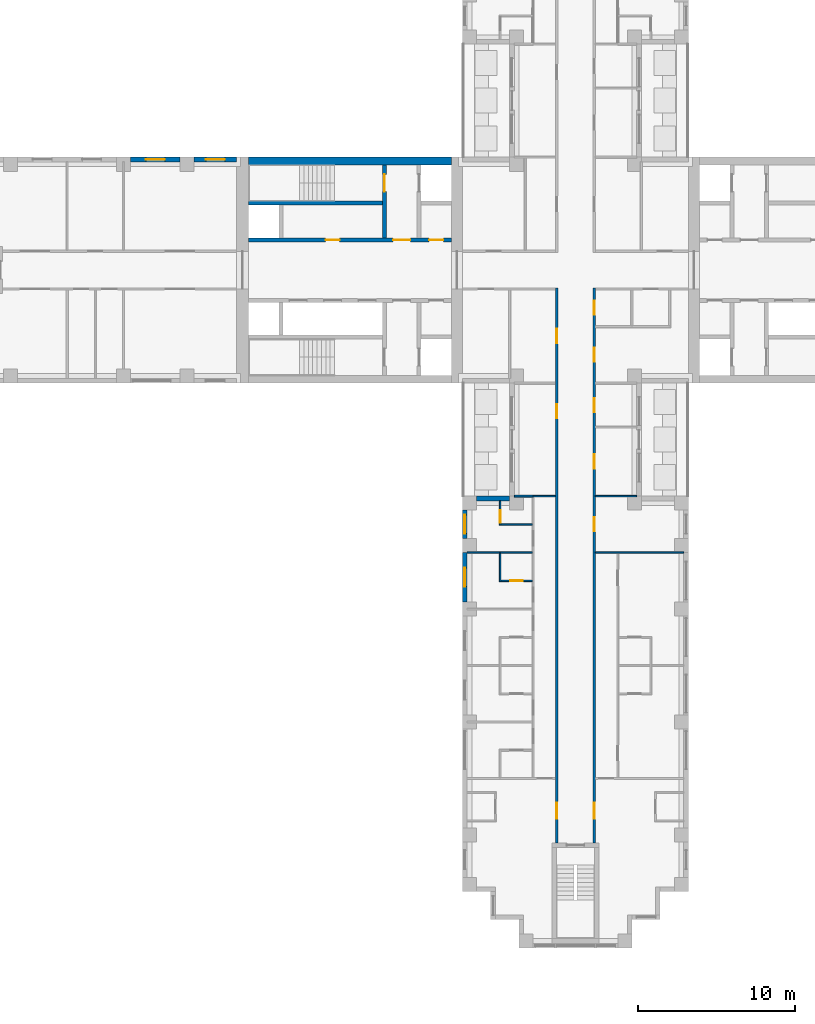
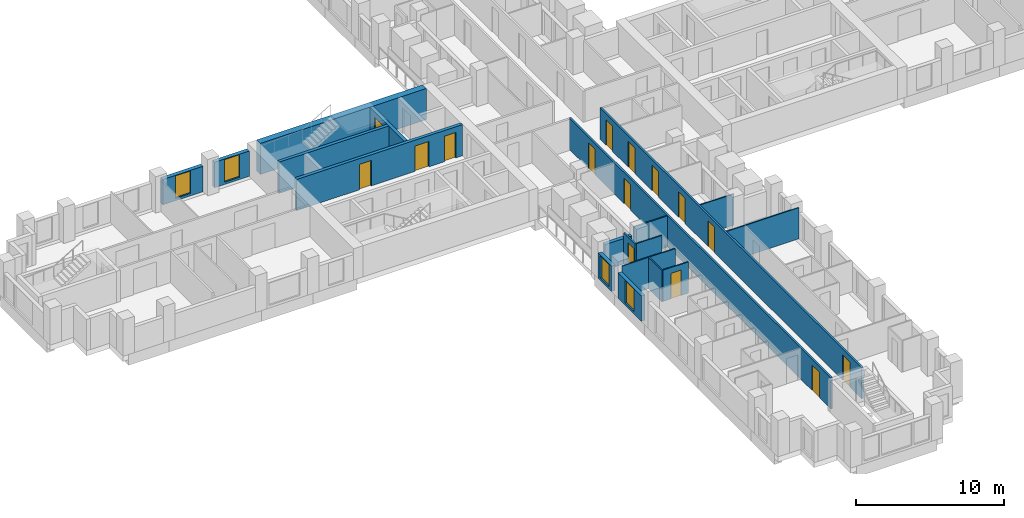
# One storey, part 6 of 15: 20 walls, 15 doors, 4 windows, 19 openings.
"""IFC4 building model written with IfcOpenShell, lengths in metres."""

from ifc_helpers import new_model, si_unit, direction, frame, frame_2d, origin, place, context, subcontext, project, spatial, rectangle, extrude, material, layer, layer_set, type_object, element, fill, save


model = new_model("IFC4")

# Units and contexts
model_context = context("Model", 3, precision=1e-05, world=origin(), true_north=direction((0.0, 1.0)))
body_context = subcontext(model_context, "Body", "Model", "MODEL_VIEW")
ifc_project = project(units=[si_unit("LENGTHUNIT", "METRE"), si_unit("AREAUNIT", "SQUARE_METRE"), si_unit("VOLUMEUNIT", "CUBIC_METRE"), si_unit("PLANEANGLEUNIT", "RADIAN"), si_unit("MASSUNIT", "GRAM", prefix="KILO")], contexts=[model_context])

# Site, building, storey
site_placement = place(None, origin())
site = spatial("IfcSite", under=ifc_project, at=site_placement, CompositionType="ELEMENT")
building_placement = place(site_placement, origin())
building = spatial("IfcBuilding", under=site, at=building_placement, Name="Fustian Cross Tower", CompositionType="ELEMENT")
storey_placement = place(building_placement, frame((0.0, 0.0, 11.699951171875)))
storey = spatial("IfcBuildingStorey", under=building, at=storey_placement, Name="L02", CompositionType="ELEMENT", Elevation=11.699951171875)

# Wall, openings, doors
ifc_material_1 = material(Name="Plasterboard on steel stud", Category="steel")
ifc_layer_1 = layer(ifc_material_1, 0.14990234375)
ifc_layer_set_1 = layer_set([ifc_layer_1], Name="Plasterboard on steel stud")
wall_type_1 = type_object("IfcWallType", Name="COMPARTMENT WALL 150 EI 60", PredefinedType="PARTITIONING", material=ifc_layer_set_1)
wall_1_placement = place(storey_placement, frame((-1.199951171875, -36.5, 0.0), z_axis=(0.0, 0.0, 1.0), x_axis=(0.0, 1.0, 0.0)))
wall_1 = element("IfcWall", 1, at=wall_1_placement, inside=storey, type_object=wall_type_1, Name="Partition 54", PredefinedType="PARTITIONING", context=body_context, shape_type="SweptSolid", body=[
    extrude(rectangle(XDim=35.375, YDim=0.14990234375, at=frame_2d((17.6875, 0.0))), origin(), (0.0, 0.0, 1.0), 2.574951171875),
])
opening_1_placement = place(wall_1_placement, frame((31.85009765625, 0.0, 0.0)))
opening_1 = element("IfcOpeningElement", 2, at=opening_1_placement, cuts=wall_1, Name="Opening D04008", PredefinedType="OPENING", context=body_context, shape_type="SweptSolid", body=[
    extrude(rectangle(XDim=0.89990234375, YDim=2.10009765625, at=frame_2d((0.449951171875, 1.050048828125))), frame((0.0, 0.0849609375, 0.0), z_axis=(0.0, -1.0, 0.0), x_axis=(1.0, 0.0, 0.0)), (0.0, 0.0, 1.0), 0.169921875),
])
opening_2_placement = place(wall_1_placement, frame((27.050048828125, 0.0, 0.0)))
opening_2 = element("IfcOpeningElement", 3, at=opening_2_placement, cuts=wall_1, Name="Opening D04065", PredefinedType="OPENING", context=body_context, shape_type="SweptSolid", body=[
    extrude(rectangle(XDim=0.89990234375, YDim=2.10009765625, at=frame_2d((0.449951171875, 1.050048828125))), frame((0.0, 0.0849609375, 0.0), z_axis=(0.0, -1.0, 0.0), x_axis=(1.0, 0.0, 0.0)), (0.0, 0.0, 1.0), 0.169921875),
])
opening_3_placement = place(wall_1_placement, frame((1.550048828125, 0.0, 0.0)))
opening_3 = element("IfcOpeningElement", 4, at=opening_3_placement, cuts=wall_1, Name="Opening D04067", PredefinedType="OPENING", context=body_context, shape_type="SweptSolid", body=[
    extrude(rectangle(XDim=1.0, YDim=2.10009765625, at=frame_2d((0.5, 1.050048828125))), frame((0.0, 0.0849609375, 0.0), z_axis=(0.0, -1.0, 0.0), x_axis=(1.0, 0.0, 0.0)), (0.0, 0.0, 1.0), 0.169921875),
])
ifc_material_2 = material(Name="Timber fire door set", Category="wood")
door_type_1 = type_object("IfcDoorType", Name="FIRE SWING DOOR 1000 FD30S", OperationType="SINGLE_SWING_LEFT", PredefinedType="DOOR", material=ifc_material_2)
door_1_placement = place(opening_3_placement, origin())
door_1 = element("IfcDoor", 5, at=door_1_placement, inside=storey, type_object=door_type_1, Name="Door D04067", OperationType="SINGLE_SWING_RIGHT", OverallHeight=2.10009765625, OverallWidth=1.0, PredefinedType="DOOR", context=body_context, shape_type="SweptSolid", body=[
    extrude(rectangle(XDim=1.0, YDim=2.10009765625, at=frame_2d((0.5, 1.050048828125))), frame((0.0, 0.02490234375, 0.0), z_axis=(0.0, -1.0, 0.0), x_axis=(1.0, 0.0, 0.0)), (0.0, 0.0, 1.0), 0.050048828125),
])
fill(opening_3, door_1)
ifc_material_3 = material(Name="Timber fire door set", Category="wood")
door_type_2 = type_object("IfcDoorType", Name="FIRE SWING DOOR 900 FD30S", OperationType="SINGLE_SWING_LEFT", PredefinedType="DOOR", material=ifc_material_3)
door_2_placement = place(opening_1_placement, origin())
door_2 = element("IfcDoor", 6, at=door_2_placement, inside=storey, type_object=door_type_2, Name="Door D04008", OperationType="SINGLE_SWING_LEFT", OverallHeight=2.10009765625, OverallWidth=0.89990234375, PredefinedType="DOOR", context=body_context, shape_type="SweptSolid", body=[
    extrude(rectangle(XDim=0.89990234375, YDim=2.10009765625, at=frame_2d((0.449951171875, 1.050048828125))), frame((0.0, 0.02490234375, 0.0), z_axis=(0.0, -1.0, 0.0), x_axis=(1.0, 0.0, 0.0)), (0.0, 0.0, 1.0), 0.050048828125),
])
fill(opening_1, door_2)
door_3_placement = place(opening_2_placement, origin())
door_3 = element("IfcDoor", 7, at=door_3_placement, inside=storey, type_object=door_type_2, Name="Door D04065", OperationType="SINGLE_SWING_RIGHT", OverallHeight=2.10009765625, OverallWidth=0.89990234375, PredefinedType="DOOR", context=body_context, shape_type="SweptSolid", body=[
    extrude(rectangle(XDim=0.89990234375, YDim=2.10009765625, at=frame_2d((0.449951171875, 1.050048828125))), frame((0.0, 0.02490234375, 0.0), z_axis=(0.0, -1.0, 0.0), x_axis=(1.0, 0.0, 0.0)), (0.0, 0.0, 1.0), 0.050048828125),
])
fill(opening_2, door_3)

wall_2_placement = place(storey_placement, frame((1.199951171875, -36.5, 0.0), z_axis=(0.0, 0.0, 1.0), x_axis=(0.0, 1.0, 0.0)))
wall_2 = element("IfcWall", 8, at=wall_2_placement, inside=storey, type_object=wall_type_1, Name="Partition 56", PredefinedType="PARTITIONING", context=body_context, shape_type="SweptSolid", body=[
    extrude(rectangle(XDim=35.375, YDim=0.14990234375, at=frame_2d((17.6875, 0.0))), origin(), (0.0, 0.0, 1.0), 2.574951171875),
])
opening_4_placement = place(wall_2_placement, frame((33.64990234375, 0.0, 0.0)))
opening_4 = element("IfcOpeningElement", 9, at=opening_4_placement, cuts=wall_2, Name="Opening D04005", PredefinedType="OPENING", context=body_context, shape_type="SweptSolid", body=[
    extrude(rectangle(XDim=0.89990234375, YDim=2.10009765625, at=frame_2d((0.449951171875, 1.050048828125))), frame((0.0, 0.0849609375, 0.0), z_axis=(0.0, -1.0, 0.0), x_axis=(1.0, 0.0, 0.0)), (0.0, 0.0, 1.0), 0.169921875),
])
opening_5_placement = place(wall_2_placement, frame((30.64990234375, 0.0, 0.0)))
opening_5 = element("IfcOpeningElement", 10, at=opening_5_placement, cuts=wall_2, Name="Opening D04007", PredefinedType="OPENING", context=body_context, shape_type="SweptSolid", body=[
    extrude(rectangle(XDim=0.89990234375, YDim=2.10009765625, at=frame_2d((0.449951171875, 1.050048828125))), frame((0.0, 0.0849609375, 0.0), z_axis=(0.0, -1.0, 0.0), x_axis=(1.0, 0.0, 0.0)), (0.0, 0.0, 1.0), 0.169921875),
])
opening_6_placement = place(wall_2_placement, frame((27.449951171875, 0.0, 0.0)))
opening_6 = element("IfcOpeningElement", 11, at=opening_6_placement, cuts=wall_2, Name="Opening D04055", PredefinedType="OPENING", context=body_context, shape_type="SweptSolid", body=[
    extrude(rectangle(XDim=0.89990234375, YDim=2.10009765625, at=frame_2d((0.449951171875, 1.050048828125))), frame((0.0, 0.0849609375, 0.0), z_axis=(0.0, -1.0, 0.0), x_axis=(1.0, 0.0, 0.0)), (0.0, 0.0, 1.0), 0.169921875),
])
opening_7_placement = place(wall_2_placement, frame((23.85009765625, 0.0, 0.0)))
opening_7 = element("IfcOpeningElement", 12, at=opening_7_placement, cuts=wall_2, Name="Opening D04056", PredefinedType="OPENING", context=body_context, shape_type="SweptSolid", body=[
    extrude(rectangle(XDim=0.89990234375, YDim=2.10009765625, at=frame_2d((0.449951171875, 1.050048828125))), frame((0.0, 0.0849609375, 0.0), z_axis=(0.0, -1.0, 0.0), x_axis=(1.0, 0.0, 0.0)), (0.0, 0.0, 1.0), 0.169921875),
])
opening_8_placement = place(wall_2_placement, frame((19.85009765625, 0.0, 0.0)))
opening_8 = element("IfcOpeningElement", 13, at=opening_8_placement, cuts=wall_2, Name="Opening D04057", PredefinedType="OPENING", context=body_context, shape_type="SweptSolid", body=[
    extrude(rectangle(XDim=0.89990234375, YDim=2.10009765625, at=frame_2d((0.449951171875, 1.050048828125))), frame((0.0, 0.0849609375, 0.0), z_axis=(0.0, -1.0, 0.0), x_axis=(1.0, 0.0, 0.0)), (0.0, 0.0, 1.0), 0.169921875),
])
opening_9_placement = place(wall_2_placement, frame((1.550048828125, 0.0, 0.0)))
opening_9 = element("IfcOpeningElement", 14, at=opening_9_placement, cuts=wall_2, Name="Opening D04059", PredefinedType="OPENING", context=body_context, shape_type="SweptSolid", body=[
    extrude(rectangle(XDim=1.0, YDim=2.10009765625, at=frame_2d((0.5, 1.050048828125))), frame((0.0, 0.0849609375, 0.0), z_axis=(0.0, -1.0, 0.0), x_axis=(1.0, 0.0, 0.0)), (0.0, 0.0, 1.0), 0.169921875),
])
door_4_placement = place(opening_9_placement, frame((1.0, 0.0, 0.0), z_axis=(0.0, 0.0, 1.0), x_axis=(-1.0, 0.0, 0.0)))
door_4 = element("IfcDoor", 15, at=door_4_placement, inside=storey, type_object=door_type_1, Name="Door D04059", OperationType="SINGLE_SWING_LEFT", OverallHeight=2.10009765625, OverallWidth=1.0, PredefinedType="DOOR", context=body_context, shape_type="SweptSolid", body=[
    extrude(rectangle(XDim=1.0, YDim=2.10009765625, at=frame_2d((0.5, 1.050048828125))), frame((0.0, 0.02490234375, 0.0), z_axis=(0.0, -1.0, 0.0), x_axis=(1.0, 0.0, 0.0)), (0.0, 0.0, 1.0), 0.050048828125),
])
fill(opening_9, door_4)
door_5_placement = place(opening_4_placement, frame((0.89990234375, 0.0, 0.0), z_axis=(0.0, 0.0, 1.0), x_axis=(-1.0, 0.0, 0.0)))
door_5 = element("IfcDoor", 16, at=door_5_placement, inside=storey, type_object=door_type_2, Name="Door D04005", OperationType="SINGLE_SWING_RIGHT", OverallHeight=2.10009765625, OverallWidth=0.89990234375, PredefinedType="DOOR", context=body_context, shape_type="SweptSolid", body=[
    extrude(rectangle(XDim=0.89990234375, YDim=2.10009765625, at=frame_2d((0.449951171875, 1.050048828125))), frame((0.0, 0.02490234375, 0.0), z_axis=(0.0, -1.0, 0.0), x_axis=(1.0, 0.0, 0.0)), (0.0, 0.0, 1.0), 0.050048828125),
])
fill(opening_4, door_5)
door_6_placement = place(opening_5_placement, frame((0.89990234375, 0.0, 0.0), z_axis=(0.0, 0.0, 1.0), x_axis=(-1.0, 0.0, 0.0)))
door_6 = element("IfcDoor", 17, at=door_6_placement, inside=storey, type_object=door_type_2, Name="Door D04007", OperationType="SINGLE_SWING_RIGHT", OverallHeight=2.10009765625, OverallWidth=0.89990234375, PredefinedType="DOOR", context=body_context, shape_type="SweptSolid", body=[
    extrude(rectangle(XDim=0.89990234375, YDim=2.10009765625, at=frame_2d((0.449951171875, 1.050048828125))), frame((0.0, 0.02490234375, 0.0), z_axis=(0.0, -1.0, 0.0), x_axis=(1.0, 0.0, 0.0)), (0.0, 0.0, 1.0), 0.050048828125),
])
fill(opening_5, door_6)
door_7_placement = place(opening_6_placement, frame((0.89990234375, 0.0, 0.0), z_axis=(0.0, 0.0, 1.0), x_axis=(-1.0, 0.0, 0.0)))
door_7 = element("IfcDoor", 18, at=door_7_placement, inside=storey, type_object=door_type_2, Name="Door D04055", OperationType="SINGLE_SWING_RIGHT", OverallHeight=2.10009765625, OverallWidth=0.89990234375, PredefinedType="DOOR", context=body_context, shape_type="SweptSolid", body=[
    extrude(rectangle(XDim=0.89990234375, YDim=2.10009765625, at=frame_2d((0.449951171875, 1.050048828125))), frame((0.0, 0.02490234375, 0.0), z_axis=(0.0, -1.0, 0.0), x_axis=(1.0, 0.0, 0.0)), (0.0, 0.0, 1.0), 0.050048828125),
])
fill(opening_6, door_7)
door_8_placement = place(opening_7_placement, frame((0.89990234375, 0.0, 0.0), z_axis=(0.0, 0.0, 1.0), x_axis=(-1.0, 0.0, 0.0)))
door_8 = element("IfcDoor", 19, at=door_8_placement, inside=storey, type_object=door_type_2, Name="Door D04056", OperationType="SINGLE_SWING_RIGHT", OverallHeight=2.10009765625, OverallWidth=0.89990234375, PredefinedType="DOOR", context=body_context, shape_type="SweptSolid", body=[
    extrude(rectangle(XDim=0.89990234375, YDim=2.10009765625, at=frame_2d((0.449951171875, 1.050048828125))), frame((0.0, 0.02490234375, 0.0), z_axis=(0.0, -1.0, 0.0), x_axis=(1.0, 0.0, 0.0)), (0.0, 0.0, 1.0), 0.050048828125),
])
fill(opening_7, door_8)
door_9_placement = place(opening_8_placement, frame((0.89990234375, 0.0, 0.0), z_axis=(0.0, 0.0, 1.0), x_axis=(-1.0, 0.0, 0.0)))
door_9 = element("IfcDoor", 20, at=door_9_placement, inside=storey, type_object=door_type_2, Name="Door D04057", OperationType="SINGLE_SWING_RIGHT", OverallHeight=2.10009765625, OverallWidth=0.89990234375, PredefinedType="DOOR", context=body_context, shape_type="SweptSolid", body=[
    extrude(rectangle(XDim=0.89990234375, YDim=2.10009765625, at=frame_2d((0.449951171875, 1.050048828125))), frame((0.0, 0.02490234375, 0.0), z_axis=(0.0, -1.0, 0.0), x_axis=(1.0, 0.0, 0.0)), (0.0, 0.0, 1.0), 0.050048828125),
])
fill(opening_8, door_9)

# Wall
ifc_material_4 = material(Name="Concrete C80/95", Category="concrete")
ifc_layer_2 = layer(ifc_material_4, 0.5)
ifc_layer_set_2 = layer_set([ifc_layer_2], Name="Concrete C80/95")
wall_type_2 = type_object("IfcWallType", Name="CORE FACADE WALL 500 C80/95", PredefinedType="SHEAR", material=ifc_layer_set_2)
wall_3_placement = place(storey_placement, frame((-7.89990234375, 6.949951171875, 0.0), z_axis=(0.0, 0.0, 1.0), x_axis=(-1.0, 0.0, 0.0)))
element("IfcWall", 21, at=wall_3_placement, inside=storey, type_object=wall_type_2, Name="Core facade wall", PredefinedType="SHEAR", context=body_context, shape_type="SweptSolid", body=[
    extrude(rectangle(XDim=12.9501953125, YDim=0.5, at=frame_2d((6.47509765625, 0.0))), origin(), (0.0, 0.0, 1.0), 2.574951171875),
])

# Wall, openings, doors
ifc_material_5 = material(Name="Concrete C50/60", Category="concrete")
ifc_layer_3 = layer(ifc_material_5, 0.25)
ifc_layer_set_3 = layer_set([ifc_layer_3], Name="Concrete C50/60")
wall_type_3 = type_object("IfcWallType", Name="CORE LOBBY WALL 250 C50/60", PredefinedType="SHEAR", material=ifc_layer_set_3)
wall_4_placement = place(storey_placement, frame((-7.89990234375, 1.925048828125, 0.0), z_axis=(0.0, 0.0, 1.0), x_axis=(-1.0, 0.0, 0.0)))
wall_4 = element("IfcWall", 22, at=wall_4_placement, inside=storey, type_object=wall_type_3, Name="Core lobby wall", PredefinedType="SHEAR", context=body_context, shape_type="SweptSolid", body=[
    extrude(rectangle(XDim=12.9501953125, YDim=0.25, at=frame_2d((6.47509765625, 0.0))), origin(), (0.0, 0.0, 1.0), 2.574951171875),
])
opening_10_placement = place(wall_4_placement, frame((0.52490234375, 0.0, 0.0)))
opening_10 = element("IfcOpeningElement", 23, at=opening_10_placement, cuts=wall_4, Name="Opening CD-04-22", PredefinedType="OPENING", context=body_context, shape_type="SweptSolid", body=[
    extrude(rectangle(XDim=0.89990234375, YDim=2.10009765625, at=frame_2d((0.449951171875, 1.050048828125))), frame((0.0, 0.135009765625, 0.0), z_axis=(0.0, -1.0, 0.0), x_axis=(1.0, 0.0, 0.0)), (0.0, 0.0, 1.0), 0.27001953125),
])
opening_11_placement = place(wall_4_placement, frame((2.625, 0.0, 0.0)))
opening_11 = element("IfcOpeningElement", 24, at=opening_11_placement, cuts=wall_4, Name="Opening CD-04-24", PredefinedType="OPENING", context=body_context, shape_type="SweptSolid", body=[
    extrude(rectangle(XDim=1.10009765625, YDim=2.10009765625, at=frame_2d((0.550048828125, 1.050048828125))), frame((0.0, 0.135009765625, 0.0), z_axis=(0.0, -1.0, 0.0), x_axis=(1.0, 0.0, 0.0)), (0.0, 0.0, 1.0), 0.27001953125),
])
opening_12_placement = place(wall_4_placement, frame((7.125, 0.0, 0.0)))
opening_12 = element("IfcOpeningElement", 25, at=opening_12_placement, cuts=wall_4, Name="Opening CD-04-28", PredefinedType="OPENING", context=body_context, shape_type="SweptSolid", body=[
    extrude(rectangle(XDim=0.89990234375, YDim=2.10009765625, at=frame_2d((0.449951171875, 1.050048828125))), frame((0.0, 0.135009765625, 0.0), z_axis=(0.0, -1.0, 0.0), x_axis=(1.0, 0.0, 0.0)), (0.0, 0.0, 1.0), 0.27001953125),
])
ifc_material_6 = material(Name="Steel", Category="steel")
door_type_3 = type_object("IfcDoorType", Name="FIRE DOOR FD30S 900X2100", OperationType="SINGLE_SWING_LEFT", PredefinedType="DOOR", material=ifc_material_6)
door_10_placement = place(opening_12_placement, frame((0.89990234375, 0.0, 0.0), z_axis=(0.0, 0.0, 1.0), x_axis=(-1.0, 0.0, 0.0)))
door_10 = element("IfcDoor", 26, at=door_10_placement, inside=storey, type_object=door_type_3, Name="Core door CD-04-28", OperationType="SINGLE_SWING_RIGHT", OverallHeight=2.10009765625, OverallWidth=0.89990234375, PredefinedType="DOOR", context=body_context, shape_type="SweptSolid", body=[
    extrude(rectangle(XDim=0.89990234375, YDim=2.10009765625, at=frame_2d((0.449951171875, 1.050048828125))), frame((0.0, 0.02490234375, 0.0), z_axis=(0.0, -1.0, 0.0), x_axis=(1.0, 0.0, 0.0)), (0.0, 0.0, 1.0), 0.050048828125),
])
fill(opening_12, door_10)
ifc_material_7 = material(Name="Steel", Category="steel")
door_type_4 = type_object("IfcDoorType", Name="FIRE DOOR FD60S 1100X2100", OperationType="SINGLE_SWING_LEFT", PredefinedType="DOOR", material=ifc_material_7)
door_11_placement = place(opening_11_placement, frame((1.10009765625, 0.0, 0.0), z_axis=(0.0, 0.0, 1.0), x_axis=(-1.0, 0.0, 0.0)))
door_11 = element("IfcDoor", 27, at=door_11_placement, inside=storey, type_object=door_type_4, Name="Core door CD-04-24", OperationType="SINGLE_SWING_RIGHT", OverallHeight=2.10009765625, OverallWidth=1.10009765625, PredefinedType="DOOR", context=body_context, shape_type="SweptSolid", body=[
    extrude(rectangle(XDim=1.10009765625, YDim=2.10009765625, at=frame_2d((0.550048828125, 1.050048828125))), frame((0.0, 0.02490234375, 0.0), z_axis=(0.0, -1.0, 0.0), x_axis=(1.0, 0.0, 0.0)), (0.0, 0.0, 1.0), 0.050048828125),
])
fill(opening_11, door_11)
ifc_material_8 = material(Name="Steel", Category="steel")
door_type_5 = type_object("IfcDoorType", Name="FIRE DOOR FD60S 900X2100", OperationType="SINGLE_SWING_LEFT", PredefinedType="DOOR", material=ifc_material_8)
door_12_placement = place(opening_10_placement, frame((0.89990234375, 0.0, 0.0), z_axis=(0.0, 0.0, 1.0), x_axis=(-1.0, 0.0, 0.0)))
door_12 = element("IfcDoor", 28, at=door_12_placement, inside=storey, type_object=door_type_5, Name="Core door CD-04-22", OperationType="SINGLE_SWING_RIGHT", OverallHeight=2.10009765625, OverallWidth=0.89990234375, PredefinedType="DOOR", context=body_context, shape_type="SweptSolid", body=[
    extrude(rectangle(XDim=0.89990234375, YDim=2.10009765625, at=frame_2d((0.449951171875, 1.050048828125))), frame((0.0, 0.02490234375, 0.0), z_axis=(0.0, -1.0, 0.0), x_axis=(1.0, 0.0, 0.0)), (0.0, 0.0, 1.0), 0.050048828125),
])
fill(opening_10, door_12)

# Wall
ifc_material_9 = material(Name="Concrete C50/60", Category="concrete")
ifc_layer_4 = layer(ifc_material_9, 0.25)
ifc_layer_set_4 = layer_set([ifc_layer_4], Name="Concrete C50/60")
wall_type_4 = type_object("IfcWallType", Name="CORE SHAFT WALL 250 C50/60", PredefinedType="SHEAR", material=ifc_layer_set_4)
wall_5_placement = place(storey_placement, frame((-12.300048828125, 4.27490234375, 0.0), z_axis=(0.0, 0.0, 1.0), x_axis=(-1.0, 0.0, 0.0)))
element("IfcWall", 29, at=wall_5_placement, inside=storey, type_object=wall_type_4, Name="Core shaft wall", PredefinedType="SHEAR", context=body_context, shape_type="SweptSolid", body=[
    extrude(rectangle(XDim=8.550048828125, YDim=0.25, at=frame_2d((4.27490234375, 0.0))), origin(), (0.0, 0.0, 1.0), 2.574951171875),
])

# Wall, opening, door
wall_6_placement = place(storey_placement, frame((-12.175048828125, 2.050048828125, 0.0), z_axis=(0.0, 0.0, 1.0), x_axis=(0.0, 1.0, 0.0)))
wall_6 = element("IfcWall", 30, at=wall_6_placement, inside=storey, type_object=wall_type_4, Name="Core shaft wall", PredefinedType="SHEAR", context=body_context, shape_type="SweptSolid", body=[
    extrude(rectangle(XDim=4.64990234375, YDim=0.25, at=frame_2d((2.324951171875, 0.0))), origin(), (0.0, 0.0, 1.0), 2.574951171875),
])
opening_13_placement = place(wall_6_placement, frame((2.949951171875, 0.0, 0.0)))
opening_13 = element("IfcOpeningElement", 31, at=opening_13_placement, cuts=wall_6, Name="Opening CD-04-20", PredefinedType="OPENING", context=body_context, shape_type="SweptSolid", body=[
    extrude(rectangle(XDim=1.10009765625, YDim=2.10009765625, at=frame_2d((0.550048828125, 1.050048828125))), frame((0.0, 0.135009765625, 0.0), z_axis=(0.0, -1.0, 0.0), x_axis=(1.0, 0.0, 0.0)), (0.0, 0.0, 1.0), 0.27001953125),
])
door_13_placement = place(opening_13_placement, origin())
door_13 = element("IfcDoor", 32, at=door_13_placement, inside=storey, type_object=door_type_4, Name="Core door CD-04-20", OperationType="SINGLE_SWING_LEFT", OverallHeight=2.10009765625, OverallWidth=1.10009765625, PredefinedType="DOOR", context=body_context, shape_type="SweptSolid", body=[
    extrude(rectangle(XDim=1.10009765625, YDim=2.10009765625, at=frame_2d((0.550048828125, 1.050048828125))), frame((0.0, 0.02490234375, 0.0), z_axis=(0.0, -1.0, 0.0), x_axis=(1.0, 0.0, 0.0)), (0.0, 0.0, 1.0), 0.050048828125),
])
fill(opening_13, door_13)

# Walls
ifc_material_10 = material(Name="Plasterboard on steel stud", Category="steel")
ifc_layer_5 = layer(ifc_material_10, 0.10009765625)
ifc_layer_set_5 = layer_set([ifc_layer_5], Name="Plasterboard on steel stud")
wall_type_5 = type_object("IfcWallType", Name="PARTITION 100 STUD", PredefinedType="PARTITIONING", material=ifc_layer_set_5)
wall_7_placement = place(storey_placement, frame((-6.89990234375, -18.0, 0.0), z_axis=(0.0, 0.0, 1.0), x_axis=(1.0, 0.0, 0.0)))
element("IfcWall", 33, at=wall_7_placement, inside=storey, type_object=wall_type_5, Name="Partition 16", PredefinedType="PARTITIONING", context=body_context, shape_type="SweptSolid", body=[
    extrude(rectangle(XDim=4.14990234375, YDim=0.10009765625, at=frame_2d((2.074951171875, 0.0))), origin(), (0.0, 0.0, 1.0), 2.574951171875),
])
wall_8_placement = place(storey_placement, frame((-4.800048828125, -19.85009765625, 0.0), z_axis=(0.0, 0.0, 1.0), x_axis=(0.0, 1.0, 0.0)))
element("IfcWall", 34, at=wall_8_placement, inside=storey, type_object=wall_type_5, Name="Partition 31", PredefinedType="PARTITIONING", context=body_context, shape_type="SweptSolid", body=[
    extrude(rectangle(XDim=1.800048828125, YDim=0.10009765625, at=frame_2d((0.89990234375, 0.0))), origin(), (0.0, 0.0, 1.0), 2.574951171875),
])

# Wall, opening, door
wall_9_placement = place(storey_placement, frame((-4.75, -19.800048828125, 0.0), z_axis=(0.0, 0.0, 1.0), x_axis=(1.0, 0.0, 0.0)))
wall_9 = element("IfcWall", 35, at=wall_9_placement, inside=storey, type_object=wall_type_5, Name="Partition 32", PredefinedType="PARTITIONING", context=body_context, shape_type="SweptSolid", body=[
    extrude(rectangle(XDim=2.0, YDim=0.10009765625, at=frame_2d((1.0, 0.0))), origin(), (0.0, 0.0, 1.0), 2.574951171875),
])
opening_14_placement = place(wall_9_placement, frame((0.60009765625, 0.0, 0.0)))
opening_14 = element("IfcOpeningElement", 36, at=opening_14_placement, cuts=wall_9, Name="Opening D04075", PredefinedType="OPENING", context=body_context, shape_type="SweptSolid", body=[
    extrude(rectangle(XDim=0.800048828125, YDim=2.10009765625, at=frame_2d((0.39990234375, 1.050048828125))), frame((0.0, 0.06005859375, 0.0), z_axis=(0.0, -1.0, 0.0), x_axis=(1.0, 0.0, 0.0)), (0.0, 0.0, 1.0), 0.1201171875),
])
ifc_material_11 = material(Name="Painted timber", Category="wood")
door_type_6 = type_object("IfcDoorType", Name="SWING DOOR 800", OperationType="SINGLE_SWING_LEFT", PredefinedType="DOOR", material=ifc_material_11)
door_14_placement = place(opening_14_placement, origin())
door_14 = element("IfcDoor", 37, at=door_14_placement, inside=storey, type_object=door_type_6, Name="Door D04075", OperationType="SINGLE_SWING_LEFT", OverallHeight=2.10009765625, OverallWidth=0.800048828125, PredefinedType="DOOR", context=body_context, shape_type="SweptSolid", body=[
    extrude(rectangle(XDim=0.800048828125, YDim=2.10009765625, at=frame_2d((0.39990234375, 1.050048828125))), frame((0.0, 0.02490234375, 0.0), z_axis=(0.0, -1.0, 0.0), x_axis=(1.0, 0.0, 0.0)), (0.0, 0.0, 1.0), 0.050048828125),
])
fill(opening_14, door_14)

wall_10_placement = place(storey_placement, frame((-4.800048828125, -16.25, 0.0), z_axis=(0.0, 0.0, 1.0), x_axis=(0.0, 1.0, 0.0)))
wall_10 = element("IfcWall", 38, at=wall_10_placement, inside=storey, type_object=wall_type_5, Name="Partition 33", PredefinedType="PARTITIONING", context=body_context, shape_type="SweptSolid", body=[
    extrude(rectangle(XDim=1.550048828125, YDim=0.10009765625, at=frame_2d((0.77490234375, 0.0))), origin(), (0.0, 0.0, 1.0), 2.574951171875),
])
opening_15_placement = place(wall_10_placement, frame((0.14990234375, 0.0, 0.0)))
opening_15 = element("IfcOpeningElement", 39, at=opening_15_placement, cuts=wall_10, Name="Opening D04074", PredefinedType="OPENING", context=body_context, shape_type="SweptSolid", body=[
    extrude(rectangle(XDim=0.800048828125, YDim=2.10009765625, at=frame_2d((0.39990234375, 1.050048828125))), frame((0.0, 0.06005859375, 0.0), z_axis=(0.0, -1.0, 0.0), x_axis=(1.0, 0.0, 0.0)), (0.0, 0.0, 1.0), 0.1201171875),
])
door_15_placement = place(opening_15_placement, frame((0.800048828125, 0.0, 0.0), z_axis=(0.0, 0.0, 1.0), x_axis=(-1.0, 0.0, 0.0)))
door_15 = element("IfcDoor", 40, at=door_15_placement, inside=storey, type_object=door_type_6, Name="Door D04074", OperationType="SINGLE_SWING_RIGHT", OverallHeight=2.10009765625, OverallWidth=0.800048828125, PredefinedType="DOOR", context=body_context, shape_type="SweptSolid", body=[
    extrude(rectangle(XDim=0.800048828125, YDim=2.10009765625, at=frame_2d((0.39990234375, 1.050048828125))), frame((0.0, 0.02490234375, 0.0), z_axis=(0.0, -1.0, 0.0), x_axis=(1.0, 0.0, 0.0)), (0.0, 0.0, 1.0), 0.050048828125),
])
fill(opening_15, door_15)

# Walls
wall_11_placement = place(storey_placement, frame((-4.75, -16.199951171875, 0.0), z_axis=(0.0, 0.0, 1.0), x_axis=(1.0, 0.0, 0.0)))
element("IfcWall", 41, at=wall_11_placement, inside=storey, type_object=wall_type_5, Name="Partition 34", PredefinedType="PARTITIONING", context=body_context, shape_type="SweptSolid", body=[
    extrude(rectangle(XDim=2.0, YDim=0.10009765625, at=frame_2d((1.0, 0.0))), origin(), (0.0, 0.0, 1.0), 2.574951171875),
])
wall_12_placement = place(storey_placement, frame((-2.699951171875, -14.39990234375, 0.0), z_axis=(0.0, 0.0, 1.0), x_axis=(1.0, 0.0, 0.0)))
element("IfcWall", 42, at=wall_12_placement, inside=storey, type_object=wall_type_5, Name="Partition 51", PredefinedType="PARTITIONING", context=body_context, shape_type="SweptSolid", body=[
    extrude(rectangle(XDim=1.425048828125, YDim=0.10009765625, at=frame_2d((0.71240234375, 0.0))), origin(), (0.0, 0.0, 1.0), 2.574951171875),
])
wall_13_placement = place(storey_placement, frame((1.27490234375, -18.0, 0.0), z_axis=(0.0, 0.0, 1.0), x_axis=(1.0, 0.0, 0.0)))
element("IfcWall", 43, at=wall_13_placement, inside=storey, type_object=wall_type_5, Name="Partition 58", PredefinedType="PARTITIONING", context=body_context, shape_type="SweptSolid", body=[
    extrude(rectangle(XDim=5.625, YDim=0.10009765625, at=frame_2d((2.8125, 0.0))), origin(), (0.0, 0.0, 1.0), 2.574951171875),
])
wall_14_placement = place(storey_placement, frame((1.27490234375, -14.39990234375, 0.0), z_axis=(0.0, 0.0, 1.0), x_axis=(1.0, 0.0, 0.0)))
element("IfcWall", 44, at=wall_14_placement, inside=storey, type_object=wall_type_5, Name="Partition 59", PredefinedType="PARTITIONING", context=body_context, shape_type="SweptSolid", body=[
    extrude(rectangle(XDim=2.625, YDim=0.10009765625, at=frame_2d((1.3125, 0.0))), origin(), (0.0, 0.0, 1.0), 2.574951171875),
])
ifc_material_12 = material(Name="Plasterboard on steel stud", Category="steel")
ifc_layer_6 = layer(ifc_material_12, 0.125)
ifc_layer_set_6 = layer_set([ifc_layer_6], Name="Plasterboard on steel stud")
wall_type_6 = type_object("IfcWallType", Name="WET WALL 125 STUD", PredefinedType="PARTITIONING", material=ifc_layer_set_6)
wall_15_placement = place(storey_placement, frame((-3.89990234375, -14.39990234375, 0.0), z_axis=(0.0, 0.0, 1.0), x_axis=(1.0, 0.0, 0.0)))
element("IfcWall", 45, at=wall_15_placement, inside=storey, type_object=wall_type_6, Name="Partition 45", PredefinedType="PARTITIONING", context=body_context, shape_type="SweptSolid", body=[
    extrude(rectangle(XDim=1.199951171875, YDim=0.125, at=frame_2d((0.60009765625, 0.0))), origin(), (0.0, 0.0, 1.0), 2.574951171875),
])

# Wall, opening, window
ifc_material_13 = material(Name="Dark aluminium cladding on insulated backing wall", Category="aluminium")
ifc_layer_7 = layer(ifc_material_13, 0.300048828125)
ifc_layer_set_7 = layer_set([ifc_layer_7], Name="Dark aluminium cladding on insulated backing wall")
wall_type_7 = type_object("IfcWallType", Name="XW1 EXTERNAL WALL 300", PredefinedType="SOLIDWALL", material=ifc_layer_set_7)
wall_16_placement = place(storey_placement, frame((-21.60009765625, 7.050048828125, 0.0), z_axis=(0.0, 0.0, 1.0), x_axis=(-1.0, 0.0, 0.0)))
wall_16 = element("IfcWall", 46, at=wall_16_placement, inside=storey, type_object=wall_type_7, Name="External wall", PredefinedType="SOLIDWALL", context=body_context, shape_type="SweptSolid", body=[
    extrude(rectangle(XDim=2.699951171875, YDim=0.300048828125, at=frame_2d((1.35009765625, 0.0))), origin(), (0.0, 0.0, 1.0), 2.10009765625),
])
opening_16_placement = place(wall_16_placement, frame((0.75, 0.0, 0.199951171875)))
opening_16 = element("IfcOpeningElement", 47, at=opening_16_placement, cuts=wall_16, Name="Opening WN3", PredefinedType="OPENING", context=body_context, shape_type="SweptSolid", body=[
    extrude(rectangle(XDim=1.199951171875, YDim=1.85009765625, at=frame_2d((0.60009765625, 0.925048828125))), frame((0.0, 0.159912109375, 0.0), z_axis=(0.0, -1.0, 0.0), x_axis=(1.0, 0.0, 0.0)), (0.0, 0.0, 1.0), 0.320068359375),
])
ifc_material_14 = material(Name="Dark anodised aluminium and double glazing", Category="aluminium")
window_type = type_object("IfcWindowType", Name="WN3 WINDOW 1200X1850", PartitioningType="SINGLE_PANEL", PredefinedType="WINDOW", material=ifc_material_14)
window_1_placement = place(opening_16_placement, origin())
window_1 = element("IfcWindow", 48, at=window_1_placement, inside=storey, type_object=window_type, Name="Window", OverallHeight=1.85009765625, OverallWidth=1.199951171875, PartitioningType="SINGLE_PANEL", PredefinedType="WINDOW", context=body_context, shape_type="SweptSolid", body=[
    extrude(rectangle(XDim=1.199951171875, YDim=1.85009765625, at=frame_2d((0.60009765625, 0.925048828125))), frame((0.0, 0.030029296875, 0.0), z_axis=(0.0, -1.0, 0.0), x_axis=(1.0, 0.0, 0.0)), (0.0, 0.0, 1.0), 0.06005859375),
])
fill(opening_16, window_1)

wall_17_placement = place(storey_placement, frame((-25.199951171875, 7.050048828125, 0.0), z_axis=(0.0, 0.0, 1.0), x_axis=(-1.0, 0.0, 0.0)))
wall_17 = element("IfcWall", 49, at=wall_17_placement, inside=storey, type_object=wall_type_7, Name="External wall", PredefinedType="SOLIDWALL", context=body_context, shape_type="SweptSolid", body=[
    extrude(rectangle(XDim=3.150146484375, YDim=0.300048828125, at=frame_2d((1.5751953125, 0.0))), origin(), (0.0, 0.0, 1.0), 2.10009765625),
])
opening_17_placement = place(wall_17_placement, frame((0.97509765625, 0.0, 0.199951171875)))
opening_17 = element("IfcOpeningElement", 50, at=opening_17_placement, cuts=wall_17, Name="Opening WN3", PredefinedType="OPENING", context=body_context, shape_type="SweptSolid", body=[
    extrude(rectangle(XDim=1.199951171875, YDim=1.85009765625, at=frame_2d((0.60009765625, 0.925048828125))), frame((0.0, 0.159912109375, 0.0), z_axis=(0.0, -1.0, 0.0), x_axis=(1.0, 0.0, 0.0)), (0.0, 0.0, 1.0), 0.320068359375),
])
window_2_placement = place(opening_17_placement, origin())
window_2 = element("IfcWindow", 51, at=window_2_placement, inside=storey, type_object=window_type, Name="Window", OverallHeight=1.85009765625, OverallWidth=1.199951171875, PartitioningType="SINGLE_PANEL", PredefinedType="WINDOW", context=body_context, shape_type="SweptSolid", body=[
    extrude(rectangle(XDim=1.199951171875, YDim=1.85009765625, at=frame_2d((0.60009765625, 0.925048828125))), frame((0.0, 0.030029296875, 0.0), z_axis=(0.0, -1.0, 0.0), x_axis=(1.0, 0.0, 0.0)), (0.0, 0.0, 1.0), 0.06005859375),
])
fill(opening_17, window_2)

# Wall
wall_18_placement = place(storey_placement, frame((-4.199951171875, -14.550048828125, 0.0), z_axis=(0.0, 0.0, 1.0), x_axis=(-1.0, 0.0, 0.0)))
element("IfcWall", 52, at=wall_18_placement, inside=storey, type_object=wall_type_7, Name="External wall", PredefinedType="SOLIDWALL", context=body_context, shape_type="SweptSolid", body=[
    extrude(rectangle(XDim=2.10009765625, YDim=0.300048828125, at=frame_2d((1.050048828125, 0.0))), origin(), (0.0, 0.0, 1.0), 2.10009765625),
])

# Wall, opening, window
wall_19_placement = place(storey_placement, frame((-7.050048828125, -15.300048828125, 0.0), z_axis=(0.0, 0.0, 1.0), x_axis=(0.0, -1.0, 0.0)))
wall_19 = element("IfcWall", 53, at=wall_19_placement, inside=storey, type_object=wall_type_7, Name="External wall", PredefinedType="SOLIDWALL", context=body_context, shape_type="SweptSolid", body=[
    extrude(rectangle(XDim=1.800048828125, YDim=0.300048828125, at=frame_2d((0.89990234375, 0.0))), origin(), (0.0, 0.0, 1.0), 2.10009765625),
])
opening_18_placement = place(wall_19_placement, frame((0.300048828125, 0.0, 0.199951171875)))
opening_18 = element("IfcOpeningElement", 54, at=opening_18_placement, cuts=wall_19, Name="Opening WN3", PredefinedType="OPENING", context=body_context, shape_type="SweptSolid", body=[
    extrude(rectangle(XDim=1.199951171875, YDim=1.85009765625, at=frame_2d((0.60009765625, 0.925048828125))), frame((0.0, 0.159912109375, 0.0), z_axis=(0.0, -1.0, 0.0), x_axis=(1.0, 0.0, 0.0)), (0.0, 0.0, 1.0), 0.320068359375),
])
window_3_placement = place(opening_18_placement, origin())
window_3 = element("IfcWindow", 55, at=window_3_placement, inside=storey, type_object=window_type, Name="Window", OverallHeight=1.85009765625, OverallWidth=1.199951171875, PartitioningType="SINGLE_PANEL", PredefinedType="WINDOW", context=body_context, shape_type="SweptSolid", body=[
    extrude(rectangle(XDim=1.199951171875, YDim=1.85009765625, at=frame_2d((0.60009765625, 0.925048828125))), frame((0.0, 0.030029296875, 0.0), z_axis=(0.0, -1.0, 0.0), x_axis=(1.0, 0.0, 0.0)), (0.0, 0.0, 1.0), 0.06005859375),
])
fill(opening_18, window_3)

wall_20_placement = place(storey_placement, frame((-7.050048828125, -18.0, 0.0), z_axis=(0.0, 0.0, 1.0), x_axis=(0.0, -1.0, 0.0)))
wall_20 = element("IfcWall", 56, at=wall_20_placement, inside=storey, type_object=wall_type_7, Name="External wall", PredefinedType="SOLIDWALL", context=body_context, shape_type="SweptSolid", body=[
    extrude(rectangle(XDim=3.14990234375, YDim=0.300048828125, at=frame_2d((1.574951171875, 0.0))), origin(), (0.0, 0.0, 1.0), 2.10009765625),
])
opening_19_placement = place(wall_20_placement, frame((0.97509765625, 0.0, 0.199951171875)))
opening_19 = element("IfcOpeningElement", 57, at=opening_19_placement, cuts=wall_20, Name="Opening WN3", PredefinedType="OPENING", context=body_context, shape_type="SweptSolid", body=[
    extrude(rectangle(XDim=1.199951171875, YDim=1.85009765625, at=frame_2d((0.60009765625, 0.925048828125))), frame((0.0, 0.159912109375, 0.0), z_axis=(0.0, -1.0, 0.0), x_axis=(1.0, 0.0, 0.0)), (0.0, 0.0, 1.0), 0.320068359375),
])
window_4_placement = place(opening_19_placement, origin())
window_4 = element("IfcWindow", 58, at=window_4_placement, inside=storey, type_object=window_type, Name="Window", OverallHeight=1.85009765625, OverallWidth=1.199951171875, PartitioningType="SINGLE_PANEL", PredefinedType="WINDOW", context=body_context, shape_type="SweptSolid", body=[
    extrude(rectangle(XDim=1.199951171875, YDim=1.85009765625, at=frame_2d((0.60009765625, 0.925048828125))), frame((0.0, 0.030029296875, 0.0), z_axis=(0.0, -1.0, 0.0), x_axis=(1.0, 0.0, 0.0)), (0.0, 0.0, 1.0), 0.06005859375),
])
fill(opening_19, window_4)

save(model, "model.ifc")
